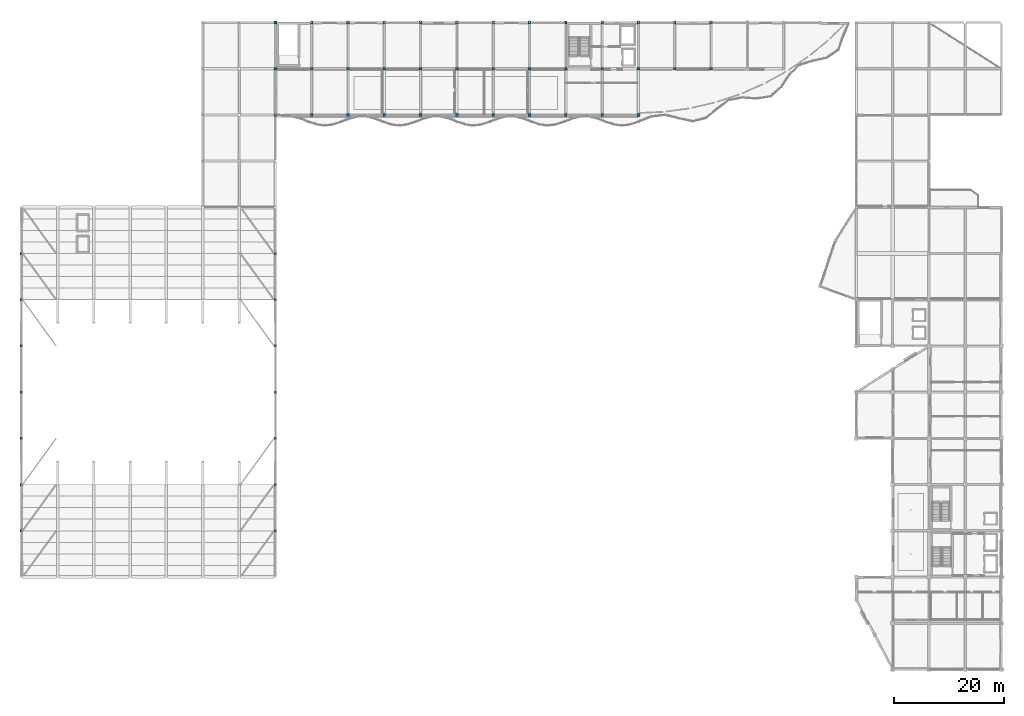
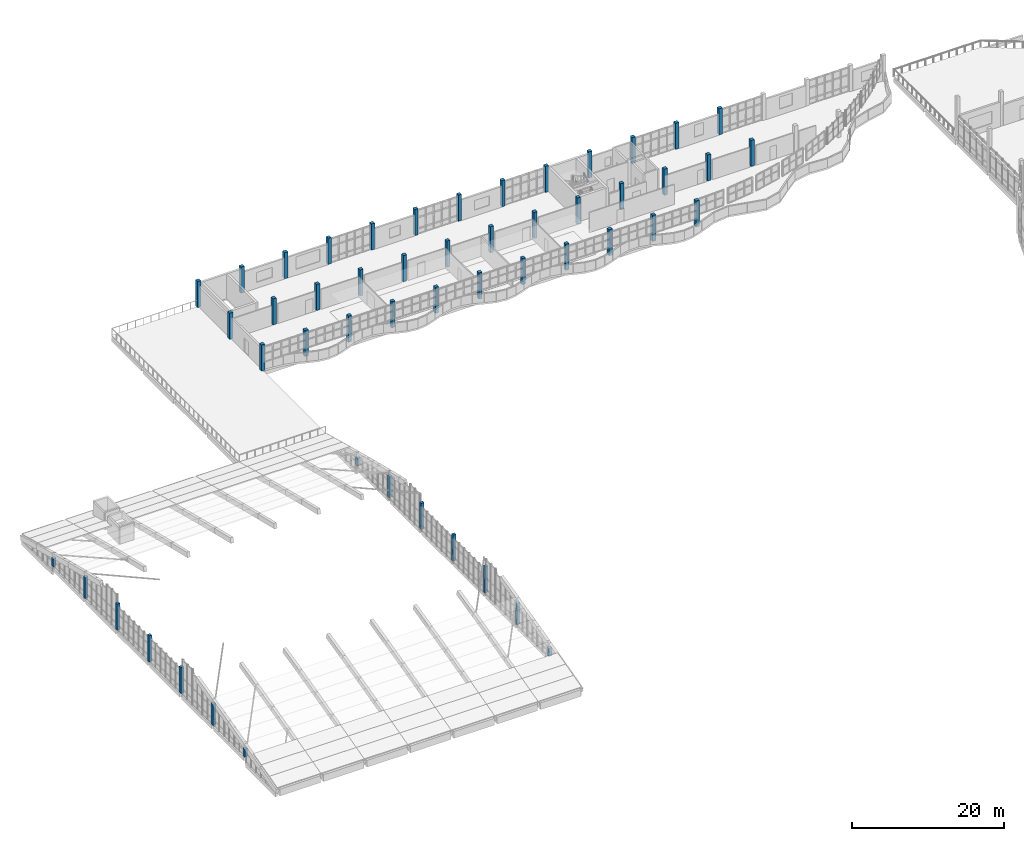
# One storey, part 1 of 78: 51 columns.
"""IFC4 building model written with IfcOpenShell, lengths in metres."""

from ifc_helpers import new_model, si_unit, direction, frame, origin, origin_2d, place, context, subcontext, project, spatial, rectangle, extrude, material, material_profile, profile_set, type_object, element, save


model = new_model("IFC4")

# Units and contexts
model_context = context("Model", 3, precision=1e-05, world=origin(), true_north=direction((0.0, 1.0)))
body_context = subcontext(model_context, "Body", "Model", "MODEL_VIEW")
ifc_project = project(units=[si_unit("LENGTHUNIT", "METRE"), si_unit("AREAUNIT", "SQUARE_METRE"), si_unit("VOLUMEUNIT", "CUBIC_METRE"), si_unit("PLANEANGLEUNIT", "RADIAN"), si_unit("MASSUNIT", "GRAM", prefix="KILO")], contexts=[model_context])

# Site, building, storey
site_placement = place(None, origin())
site = spatial("IfcSite", under=ifc_project, at=site_placement, CompositionType="ELEMENT")
building_placement = place(site_placement, origin())
building = spatial("IfcBuilding", under=site, at=building_placement, Name="Qaldarim Faculty of Natural and Applied Sciences", CompositionType="ELEMENT")
storey_placement = place(building_placement, frame((0.0, 0.0, 18.60009765625)))
storey = spatial("IfcBuildingStorey", under=building, at=storey_placement, Name="L04", CompositionType="ELEMENT", Elevation=18.60009765625)

# Columns
ifc_material_1 = material(Name="Concrete C40/50", Category="concrete")
ifc_material_profile_1 = material_profile(ifc_material_1, rectangle(XDim=0.449951171875, YDim=0.449951171875, at=origin_2d()), Name="RC-C450x450")
ifc_profile_set_1 = profile_set([ifc_material_profile_1], Name="Concrete C40/50")
column_type_1 = type_object("IfcColumnType", Name="Column-RC450x450", PredefinedType="COLUMN", material=ifc_profile_set_1)
column_1_placement = place(storey_placement, frame((0.0, 25.199951171875, 0.0), z_axis=(0.0, 0.0, 1.0), x_axis=(1.0, 0.0, 0.0)))
element("IfcColumn", 1, at=column_1_placement, inside=storey, type_object=column_type_1, Name="Shell gable pier column X01/Y04 L04", PredefinedType="COLUMN", context=body_context, shape_type="SweptSolid", body=[
    extrude(rectangle(XDim=0.449951171875, YDim=0.449951171875, at=origin_2d()), origin(), (0.0, 0.0, 1.0), 1.284912109375),
])
column_2_placement = place(storey_placement, frame((0.0, 33.60009765625, 0.0), z_axis=(0.0, 0.0, 1.0), x_axis=(1.0, 0.0, 0.0)))
element("IfcColumn", 2, at=column_2_placement, inside=storey, type_object=column_type_1, Name="Shell gable pier column X01/Y05 L04", PredefinedType="COLUMN", context=body_context, shape_type="SweptSolid", body=[
    extrude(rectangle(XDim=0.449951171875, YDim=0.449951171875, at=origin_2d()), origin(), (0.0, 0.0, 1.0), 3.39990234375),
])
for number, where, z_axis, x_axis, name in (
    (3, (0.0, 42.0, 0.0), (0.0, 0.0, 1.0), (1.0, 0.0, 0.0), "Shell gable pier column X01/Y06 L04"),
    (4, (0.0, 50.39990234375, 0.0), (0.0, 0.0, 1.0), (1.0, 0.0, 0.0), "Shell gable pier column X01/Y07 L04"),
    (5, (0.0, 58.800048828125, 0.0), (0.0, 0.0, 1.0), (1.0, 0.0, 0.0), "Shell gable pier column X01/Y08 L04"),
):
    element("IfcColumn", number, at=place(storey_placement, frame(where, z_axis=z_axis, x_axis=x_axis)), inside=storey, type_object=column_type_1, Name=name, PredefinedType="COLUMN", context=body_context, shape_type="SweptSolid", body=[
        extrude(rectangle(XDim=0.449951171875, YDim=0.449951171875, at=origin_2d()), origin(), (0.0, 0.0, 1.0), 4.199951171875),
    ])
column_3_placement = place(storey_placement, frame((0.0, 67.199951171875, 0.0), z_axis=(0.0, 0.0, 1.0), x_axis=(1.0, 0.0, 0.0)))
element("IfcColumn", 6, at=column_3_placement, inside=storey, type_object=column_type_1, Name="Shell gable pier column X01/Y09 L04", PredefinedType="COLUMN", context=body_context, shape_type="SweptSolid", body=[
    extrude(rectangle(XDim=0.449951171875, YDim=0.449951171875, at=origin_2d()), origin(), (0.0, 0.0, 1.0), 3.39990234375),
])
for number, where, z_axis, x_axis, name in (
    (7, (0.0, 75.60009765625, 0.0), (0.0, 0.0, 1.0), (1.0, 0.0, 0.0), "Shell gable pier column X01/Y10 L04"),
    (8, (46.199951171875, 25.199951171875, 0.0), (0.0, 0.0, 1.0), (1.0, 0.0, 0.0), "Shell gable pier column X08/Y04 L04"),
):
    element("IfcColumn", number, at=place(storey_placement, frame(where, z_axis=z_axis, x_axis=x_axis)), inside=storey, type_object=column_type_1, Name=name, PredefinedType="COLUMN", context=body_context, shape_type="SweptSolid", body=[
        extrude(rectangle(XDim=0.449951171875, YDim=0.449951171875, at=origin_2d()), origin(), (0.0, 0.0, 1.0), 1.284912109375),
    ])
column_4_placement = place(storey_placement, frame((46.199951171875, 33.60009765625, 0.0), z_axis=(0.0, 0.0, 1.0), x_axis=(1.0, 0.0, 0.0)))
element("IfcColumn", 9, at=column_4_placement, inside=storey, type_object=column_type_1, Name="Shell gable pier column X08/Y05 L04", PredefinedType="COLUMN", context=body_context, shape_type="SweptSolid", body=[
    extrude(rectangle(XDim=0.449951171875, YDim=0.449951171875, at=origin_2d()), origin(), (0.0, 0.0, 1.0), 3.39990234375),
])
for number, where, z_axis, x_axis, name in (
    (10, (46.199951171875, 42.0, 0.0), (0.0, 0.0, 1.0), (1.0, 0.0, 0.0), "Shell gable pier column X08/Y06 L04"),
    (11, (46.199951171875, 50.39990234375, 0.0), (0.0, 0.0, 1.0), (1.0, 0.0, 0.0), "Shell gable pier column X08/Y07 L04"),
    (12, (46.199951171875, 58.800048828125, 0.0), (0.0, 0.0, 1.0), (1.0, 0.0, 0.0), "Shell gable pier column X08/Y08 L04"),
):
    element("IfcColumn", number, at=place(storey_placement, frame(where, z_axis=z_axis, x_axis=x_axis)), inside=storey, type_object=column_type_1, Name=name, PredefinedType="COLUMN", context=body_context, shape_type="SweptSolid", body=[
        extrude(rectangle(XDim=0.449951171875, YDim=0.449951171875, at=origin_2d()), origin(), (0.0, 0.0, 1.0), 4.199951171875),
    ])
column_5_placement = place(storey_placement, frame((46.199951171875, 67.199951171875, 0.0), z_axis=(0.0, 0.0, 1.0), x_axis=(1.0, 0.0, 0.0)))
element("IfcColumn", 13, at=column_5_placement, inside=storey, type_object=column_type_1, Name="Shell gable pier column X08/Y09 L04", PredefinedType="COLUMN", context=body_context, shape_type="SweptSolid", body=[
    extrude(rectangle(XDim=0.449951171875, YDim=0.449951171875, at=origin_2d()), origin(), (0.0, 0.0, 1.0), 3.39990234375),
])
column_6_placement = place(storey_placement, frame((46.199951171875, 75.60009765625, 0.0), z_axis=(0.0, 0.0, 1.0), x_axis=(1.0, 0.0, 0.0)))
element("IfcColumn", 14, at=column_6_placement, inside=storey, type_object=column_type_1, Name="Shell gable pier column X08/Y10 L04", PredefinedType="COLUMN", context=body_context, shape_type="SweptSolid", body=[
    extrude(rectangle(XDim=0.449951171875, YDim=0.449951171875, at=origin_2d()), origin(), (0.0, 0.0, 1.0), 1.284912109375),
])
ifc_material_2 = material(Name="Concrete C50/60", Category="concrete")
ifc_material_profile_2 = material_profile(ifc_material_2, rectangle(XDim=0.5, YDim=0.5, at=origin_2d()), Name="RC-C500x500")
ifc_profile_set_2 = profile_set([ifc_material_profile_2], Name="Concrete C50/60")
column_type_2 = type_object("IfcColumnType", Name="Column-RC500x500", PredefinedType="COLUMN", material=ifc_profile_set_2)
for number, where, z_axis, x_axis, name in (
    (15, (46.199951171875, 100.800048828125, 0.0), (0.0, 0.0, 1.0), (1.0, 0.0, 0.0), "Column X08/Y13 L04"),
    (16, (46.199951171875, 109.199951171875, 0.0), (0.0, 0.0, 1.0), (1.0, 0.0, 0.0), "Column X08/Y14 L04"),
    (17, (46.199951171875, 117.60009765625, 0.0), (0.0, 0.0, 1.0), (1.0, 0.0, 0.0), "Column X08/Y15 L04"),
    (18, (52.800048828125, 100.800048828125, 0.0), (0.0, 0.0, 1.0), (1.0, 0.0, 0.0), "Column X09/Y13 L04"),
    (19, (52.800048828125, 109.199951171875, 0.0), (0.0, 0.0, 1.0), (1.0, 0.0, 0.0), "Column X09/Y14 L04"),
    (20, (52.800048828125, 117.60009765625, 0.0), (0.0, 0.0, 1.0), (1.0, 0.0, 0.0), "Column X09/Y15 L04"),
    (21, (59.39990234375, 100.800048828125, 0.0), (0.0, 0.0, 1.0), (1.0, 0.0, 0.0), "Column X10/Y13 L04"),
    (22, (59.39990234375, 109.199951171875, 0.0), (0.0, 0.0, 1.0), (1.0, 0.0, 0.0), "Column X10/Y14 L04"),
    (23, (59.39990234375, 117.60009765625, 0.0), (0.0, 0.0, 1.0), (1.0, 0.0, 0.0), "Column X10/Y15 L04"),
    (24, (66.0, 100.800048828125, 0.0), (0.0, 0.0, 1.0), (1.0, 0.0, 0.0), "Column X11/Y13 L04"),
    (25, (66.0, 109.199951171875, 0.0), (0.0, 0.0, 1.0), (1.0, 0.0, 0.0), "Column X11/Y14 L04"),
    (26, (66.0, 117.60009765625, 0.0), (0.0, 0.0, 1.0), (1.0, 0.0, 0.0), "Column X11/Y15 L04"),
    (27, (72.60009765625, 100.800048828125, 0.0), (0.0, 0.0, 1.0), (1.0, 0.0, 0.0), "Column X12/Y13 L04"),
    (28, (72.60009765625, 109.199951171875, 0.0), (0.0, 0.0, 1.0), (1.0, 0.0, 0.0), "Column X12/Y14 L04"),
    (29, (72.60009765625, 117.60009765625, 0.0), (0.0, 0.0, 1.0), (1.0, 0.0, 0.0), "Column X12/Y15 L04"),
    (30, (79.199951171875, 100.800048828125, 0.0), (0.0, 0.0, 1.0), (1.0, 0.0, 0.0), "Column X13/Y13 L04"),
    (31, (79.199951171875, 109.199951171875, 0.0), (0.0, 0.0, 1.0), (1.0, 0.0, 0.0), "Column X13/Y14 L04"),
    (32, (79.199951171875, 117.60009765625, 0.0), (0.0, 0.0, 1.0), (1.0, 0.0, 0.0), "Column X13/Y15 L04"),
    (33, (85.800048828125, 100.800048828125, 0.0), (0.0, 0.0, 1.0), (1.0, 0.0, 0.0), "Column X14/Y13 L04"),
    (34, (85.800048828125, 109.199951171875, 0.0), (0.0, 0.0, 1.0), (1.0, 0.0, 0.0), "Column X14/Y14 L04"),
    (35, (85.800048828125, 117.60009765625, 0.0), (0.0, 0.0, 1.0), (1.0, 0.0, 0.0), "Column X14/Y15 L04"),
    (36, (92.39990234375, 100.800048828125, 0.0), (0.0, 0.0, 1.0), (1.0, 0.0, 0.0), "Column X15/Y13 L04"),
    (37, (92.39990234375, 109.199951171875, 0.0), (0.0, 0.0, 1.0), (1.0, 0.0, 0.0), "Column X15/Y14 L04"),
    (38, (92.39990234375, 117.60009765625, 0.0), (0.0, 0.0, 1.0), (1.0, 0.0, 0.0), "Column X15/Y15 L04"),
    (39, (99.0, 100.800048828125, 0.0), (0.0, 0.0, 1.0), (1.0, 0.0, 0.0), "Column X16/Y13 L04"),
    (40, (99.0, 109.199951171875, 0.0), (0.0, 0.0, 1.0), (1.0, 0.0, 0.0), "Column X16/Y14 L04"),
    (41, (99.0, 117.60009765625, 0.0), (0.0, 0.0, 1.0), (1.0, 0.0, 0.0), "Column X16/Y15 L04"),
    (42, (105.60009765625, 100.800048828125, 0.0), (0.0, 0.0, 1.0), (1.0, 0.0, 0.0), "Column X17/Y13 L04"),
    (43, (105.60009765625, 109.199951171875, 0.0), (0.0, 0.0, 1.0), (1.0, 0.0, 0.0), "Column X17/Y14 L04"),
    (44, (105.60009765625, 117.60009765625, 0.0), (0.0, 0.0, 1.0), (1.0, 0.0, 0.0), "Column X17/Y15 L04"),
    (45, (112.199951171875, 100.800048828125, 0.0), (0.0, 0.0, 1.0), (1.0, 0.0, 0.0), "Column X18/Y13 L04"),
    (46, (112.199951171875, 109.199951171875, 0.0), (0.0, 0.0, 1.0), (1.0, 0.0, 0.0), "Column X18/Y14 L04"),
    (47, (112.199951171875, 117.60009765625, 0.0), (0.0, 0.0, 1.0), (1.0, 0.0, 0.0), "Column X18/Y15 L04"),
    (48, (118.800048828125, 109.199951171875, 0.0), (0.0, 0.0, 1.0), (1.0, 0.0, 0.0), "Column X19/Y14 L04"),
    (49, (118.800048828125, 117.60009765625, 0.0), (0.0, 0.0, 1.0), (1.0, 0.0, 0.0), "Column X19/Y15 L04"),
    (50, (125.39990234375, 109.199951171875, 0.0), (0.0, 0.0, 1.0), (1.0, 0.0, 0.0), "Column X20/Y14 L04"),
    (51, (125.39990234375, 117.60009765625, 0.0), (0.0, 0.0, 1.0), (1.0, 0.0, 0.0), "Column X20/Y15 L04"),
):
    element("IfcColumn", number, at=place(storey_placement, frame(where, z_axis=z_axis, x_axis=x_axis)), inside=storey, type_object=column_type_2, Name=name, PredefinedType="COLUMN", context=body_context, shape_type="SweptSolid", body=[
        extrude(rectangle(XDim=0.5, YDim=0.5, at=origin_2d()), origin(), (0.0, 0.0, 1.0), 4.199951171875),
    ])

save(model, "model.ifc")
